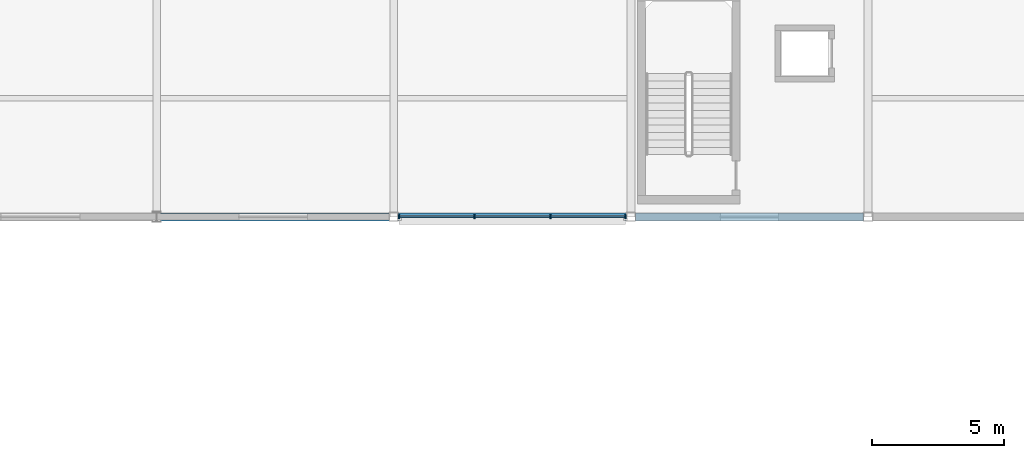
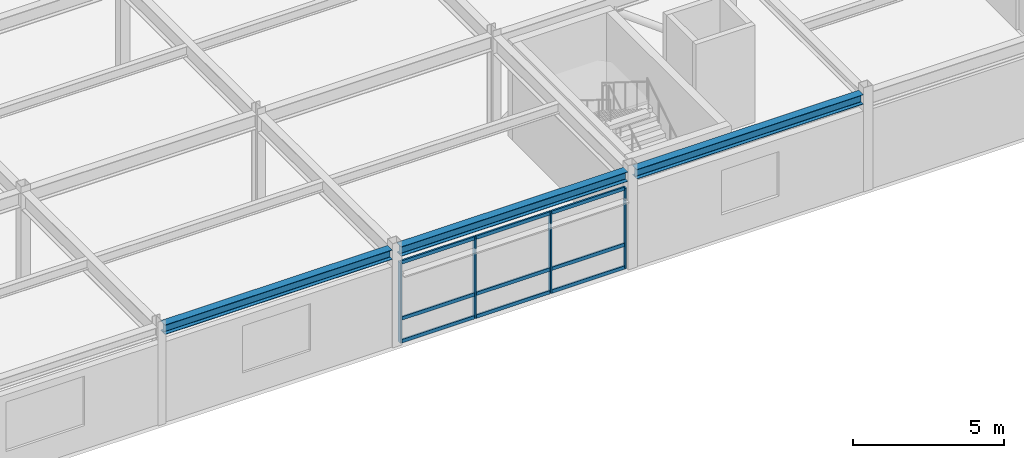
# One storey, part 17 of 53: 13 members, 3 beams, 1 element without a shape of its own.
"""IFC4 building model written with IfcOpenShell, lengths in metres."""

import ifcopenshell
import ifcopenshell.guid

model = None  # the IFC model being written
_history = None  # IfcOwnerHistory: only IFC2X3 demands one
_inside = {}  # id of a spatial element -> (the spatial element, [elements in it])
_under = {}  # id of a project, library or spatial element -> (it, [spatial elements below it])
_declared = {}  # id of a project -> (the project, [libraries it declares])
_typed = {}  # id of a type object -> (the type object, [elements of that type])
_made_of = {}  # id of a material, layer set ... -> (it, [elements and type objects made of it])


def new_model(schema):
    """Start an empty IFC model of exactly this schema.

    Asked for "IFC4X3", IfcOpenShell would pick the latest addendum, in which some entities
    have other attributes; the version numbers below select the first issue.
    IFC2X3 requires an IfcOwnerHistory on every rooted entity: one is made here for all.
    """
    global model, _history
    if schema == "IFC4X3":
        model = ifcopenshell.file(schema_version=(4, 3, 0, 0))
    else:
        model = ifcopenshell.file(schema=schema)
    _inside.clear()
    _under.clear()
    _declared.clear()
    _typed.clear()
    _made_of.clear()
    _history = None
    if model.schema == "IFC2X3":
        org = make("IfcOrganization", Name="unknown")
        user = make(
            "IfcPersonAndOrganization",
            ThePerson=make("IfcPerson", FamilyName="unknown"),
            TheOrganization=org,
        )
        app = make(
            "IfcApplication",
            ApplicationDeveloper=org,
            Version="unknown",
            ApplicationFullName="unknown",
            ApplicationIdentifier="unknown",
        )
        _history = make(
            "IfcOwnerHistory",
            OwningUser=user,
            OwningApplication=app,
            ChangeAction="ADDED",
            CreationDate=0,
        )
    return model


def make(cls, **values):
    """One entity of the class cls with the attributes given. An attribute that is None is left unset."""
    return model.create_entity(
        cls, **{name: value for name, value in values.items() if value is not None}
    )


def rooted(cls, **values):
    """An entity with a GlobalId (a new one), such as an element, a storey or a relation."""
    return make(cls, GlobalId=ifcopenshell.guid.new(), OwnerHistory=_history, **values)


def si_unit(unit_type, name, prefix=None):
    """IfcSIUnit, for example si_unit("LENGTHUNIT", "METRE", prefix="MILLI")."""
    return make("IfcSIUnit", UnitType=unit_type, Prefix=prefix, Name=name)


def assignment(units):
    """IfcUnitAssignment: the units of a project."""
    return None if units is None else make("IfcUnitAssignment", Units=units)


def point(xyz):
    """IfcCartesianPoint."""
    return None if xyz is None else make("IfcCartesianPoint", Coordinates=xyz)


def direction(xyz):
    """IfcDirection."""
    return None if xyz is None else make("IfcDirection", DirectionRatios=xyz)


def frame(location, z_axis=None, x_axis=None):
    """IfcAxis2Placement3D, a coordinate frame: its origin and axes. An axis left out is left unset."""
    return make(
        "IfcAxis2Placement3D",
        Location=point(location),
        Axis=direction(z_axis),
        RefDirection=direction(x_axis),
    )


def frame_2d(location, x_axis=None):
    """IfcAxis2Placement2D, a coordinate frame in the plane: its origin and x axis."""
    return make(
        "IfcAxis2Placement2D", Location=point(location), RefDirection=direction(x_axis)
    )


def origin():
    """The frame at (0, 0, 0) with its axes left unset."""
    return frame((0.0, 0.0, 0.0))


def origin_2d():
    """The frame at (0, 0) in the plane with its x axis left unset."""
    return frame_2d((0.0, 0.0))


def place(relative_to, where):
    """IfcLocalPlacement: puts the frame where relative to a parent placement (None: the world)."""
    return make(
        "IfcLocalPlacement", PlacementRelTo=relative_to, RelativePlacement=where
    )


def context(
    kind, dimensions, precision=None, world=None, true_north=None, identifier=None
):
    """IfcGeometricRepresentationContext, for example the 3D "Model" context."""
    return make(
        "IfcGeometricRepresentationContext",
        ContextIdentifier=identifier,
        ContextType=kind,
        CoordinateSpaceDimension=dimensions,
        Precision=precision,
        WorldCoordinateSystem=world,
        TrueNorth=true_north,
    )


def subcontext(parent, identifier, kind, view, scale=None):
    """IfcGeometricRepresentationSubContext, for example "Body" below "Model"."""
    return make(
        "IfcGeometricRepresentationSubContext",
        ContextIdentifier=identifier,
        ContextType=kind,
        ParentContext=parent,
        TargetScale=scale,
        TargetView=view,
    )


def project(units=None, contexts=None):
    """IfcProject with its units and contexts."""
    return rooted(
        "IfcProject",
        Name="project",
        RepresentationContexts=contexts,
        UnitsInContext=assignment(units),
    )


def spatial(cls, under=None, at=None, **own):
    """A site, building, storey or space (cls), placed at a placement, below another one or the project."""
    s = rooted(cls, ObjectPlacement=at, **own)
    if under is not None:
        _under.setdefault(under.id(), (under, []))[1].append(s)
    return s


def profile(cls, at=None, kind="AREA", **sizes):
    """A parametric profile (cls). Its sizes go by their IFC names, for example OverallWidth=200.0."""
    return make(cls, ProfileType=kind, Position=at, **sizes)


def rectangle(**sizes):
    """IfcRectangleProfileDef."""
    return profile("IfcRectangleProfileDef", **sizes)


def i_section(**sizes):
    """IfcIShapeProfileDef."""
    return profile("IfcIShapeProfileDef", **sizes)


def extrude(swept, where, along, depth):
    """IfcExtrudedAreaSolid: the profile swept, set in the frame where, extruded along a direction by depth."""
    return make(
        "IfcExtrudedAreaSolid",
        SweptArea=swept,
        Position=where,
        ExtrudedDirection=direction(along),
        Depth=depth,
    )


def shape(context_of_items, identifier, shape_type, items):
    """IfcShapeRepresentation: the items that make up one representation, for example the "Body"."""
    return make(
        "IfcShapeRepresentation",
        ContextOfItems=context_of_items,
        RepresentationIdentifier=identifier,
        RepresentationType=shape_type,
        Items=items,
    )


def material(Name=None, Category=None):
    """IfcMaterial."""
    return make("IfcMaterial", Name=Name, Category=Category)


def material_profile(
    of_material, cross_section, Name=None, Category=None, Priority=None
):
    """IfcMaterialProfile: a cross section and its material."""
    return make(
        "IfcMaterialProfile",
        Name=Name,
        Material=of_material,
        Profile=cross_section,
        Priority=Priority,
        Category=Category,
    )


def profile_set(profiles, Name=None, composite=None):
    """IfcMaterialProfileSet."""
    return make(
        "IfcMaterialProfileSet",
        Name=Name,
        MaterialProfiles=profiles,
        CompositeProfile=composite,
    )


def made_of(thing, what):
    """Note that an element or type object is made of a material, layer set ...; save() writes the relation."""
    if what is not None:
        _made_of.setdefault(what.id(), (what, []))[1].append(thing)
    return thing


def type_object(cls, material=None, **own):
    """A type object (cls), such as IfcWallType, which elements share."""
    return made_of(rooted(cls, **own), material)


def element(
    cls,
    number,
    at=None,
    inside=None,
    cuts=None,
    type_object=None,
    material=None,
    context=None,
    identifier="Body",
    shape_type=None,
    held_by="IfcProductDefinitionShape",
    body=None,
    shapes=None,
    **own,
):
    """One element of the class cls, such as IfcWall. Its Tag is "e" and its number.

    at: its placement. inside: the storey or other place that contains it. cuts: it is an
    opening in that element (IfcRelVoidsElement). A single representation is given by context,
    identifier, shape_type and body (its items); several are given by shapes. held_by: the class
    of the entity that holds the representations. save() writes the other relations.
    """
    e = rooted(cls, Tag="e%d" % number, ObjectPlacement=at, **own)
    if body is not None:
        shapes = [shape(context, identifier, shape_type, body)]
    if shapes is not None:
        e.Representation = make(held_by, Representations=shapes)
    if inside is not None:
        _inside.setdefault(inside.id(), (inside, []))[1].append(e)
    if cuts is not None:
        rooted(
            "IfcRelVoidsElement", RelatingBuildingElement=cuts, RelatedOpeningElement=e
        )
    if type_object is not None:
        _typed.setdefault(type_object.id(), (type_object, []))[1].append(e)
    return made_of(e, material)


def aggregate(whole, parts):
    """IfcRelAggregates: a whole, such as a stair, and the parts it consists of."""
    return rooted("IfcRelAggregates", RelatingObject=whole, RelatedObjects=parts)


def save(model, path):
    """Write the relations noted so far, then the file.

    IfcRelAggregates (storeys below a building ...), IfcRelContainedInSpatialStructure (elements
    in a storey), IfcRelDefinesByType, IfcRelAssociatesMaterial and IfcRelDeclares: one each for
    every whole, place, type object, material and project.
    """
    for whole, parts in _under.values():
        aggregate(whole, parts)
    for where, things in _inside.values():
        rooted(
            "IfcRelContainedInSpatialStructure",
            RelatedElements=things,
            RelatingStructure=where,
        )
    for kind, things in _typed.values():
        rooted("IfcRelDefinesByType", RelatedObjects=things, RelatingType=kind)
    for what, things in _made_of.values():
        rooted("IfcRelAssociatesMaterial", RelatedObjects=things, RelatingMaterial=what)
    for by, libraries in _declared.values():
        rooted("IfcRelDeclares", RelatingContext=by, RelatedDefinitions=libraries)
    model.write(path)


model = new_model("IFC4")

# Units and contexts
model_context = context("Model", 3, precision=1e-05, world=origin(), true_north=direction((0.0, 1.0)))
body_context = subcontext(model_context, "Body", "Model", "MODEL_VIEW")
ifc_project = project(units=[si_unit("LENGTHUNIT", "METRE"), si_unit("AREAUNIT", "SQUARE_METRE"), si_unit("VOLUMEUNIT", "CUBIC_METRE"), si_unit("PLANEANGLEUNIT", "RADIAN"), si_unit("MASSUNIT", "GRAM", prefix="KILO")], contexts=[model_context])

# Site, building, storey
site_placement = place(None, origin())
site = spatial("IfcSite", under=ifc_project, at=site_placement, CompositionType="ELEMENT")
building_placement = place(site_placement, origin())
building = spatial("IfcBuilding", under=site, at=building_placement, Name="Suzunagisa Mobility Hub", CompositionType="ELEMENT")
storey_placement = place(building_placement, frame((0.0, 0.0, 17.699951171875)))
storey = spatial("IfcBuildingStorey", under=building, at=storey_placement, Name="L04", CompositionType="ELEMENT", Elevation=17.699951171875)

# Curtain wall, members
ifc_material_1 = material(Name="Thermally Broken Anodized Aluminum and Low-E Glazing", Category="aluminium")
curtain_wall_type = type_object("IfcCurtainWallType", Name="Unitised Curtain Wall CW-13 8750x3200", PredefinedType="USERDEFINED", material=ifc_material_1)
curtain_wall_placement = place(storey_placement, origin())
curtain_wall = element("IfcCurtainWall", 1, at=curtain_wall_placement, inside=storey, type_object=curtain_wall_type, Name="L04 Unitised Curtain Wall CW-132", ObjectType="UNITISED CURTAIN WALL", PredefinedType="USERDEFINED")
ifc_material_2 = material(Name="Anodized Aluminum 6063-T6", Category="aluminium")
ifc_material_profile_1 = material_profile(ifc_material_2, rectangle(XDim=0.06494140625, YDim=0.139892578125, at=origin_2d()), Name="TRAN-65x140")
ifc_profile_set_1 = profile_set([ifc_material_profile_1], Name="Anodized Aluminum 6063-T6")
member_type_1 = type_object("IfcMemberType", Name="Curtain Wall Framing CM-01 TRAN-65x140", PredefinedType="USERDEFINED", material=ifc_profile_set_1)
member_1_placement = place(storey_placement, frame((81.23291015625, 80.0, 0.032470703125), z_axis=(1.0, 0.0, 0.0), x_axis=(0.0, 1.0, 0.0)))
member_1 = element("IfcMember", 2, at=member_1_placement, type_object=member_type_1, Name="Curtain Wall Transom 132-T1.1", ObjectType="TRANSOM", PredefinedType="USERDEFINED", context=body_context, shape_type="SweptSolid", body=[
    extrude(rectangle(XDim=0.06494140625, YDim=0.139892578125, at=origin_2d()), origin(), (0.0, 0.0, 1.0), 2.79736328125),
])
member_2_placement = place(storey_placement, frame((81.23291015625, 80.0, 0.949951171875), z_axis=(1.0, 0.0, 0.0), x_axis=(0.0, 1.0, 0.0)))
member_2 = element("IfcMember", 3, at=member_2_placement, type_object=member_type_1, Name="Curtain Wall Transom 132-T1.2", ObjectType="TRANSOM", PredefinedType="USERDEFINED", context=body_context, shape_type="SweptSolid", body=[
    extrude(rectangle(XDim=0.06494140625, YDim=0.139892578125, at=origin_2d()), origin(), (0.0, 0.0, 1.0), 2.79736328125),
])
member_3_placement = place(storey_placement, frame((81.23291015625, 80.0, 3.217529296875), z_axis=(1.0, 0.0, 0.0), x_axis=(0.0, 1.0, 0.0)))
member_3 = element("IfcMember", 4, at=member_3_placement, type_object=member_type_1, Name="Curtain Wall Transom 132-T1.3", ObjectType="TRANSOM", PredefinedType="USERDEFINED", context=body_context, shape_type="SweptSolid", body=[
    extrude(rectangle(XDim=0.06494140625, YDim=0.139892578125, at=origin_2d()), origin(), (0.0, 0.0, 1.0), 2.79736328125),
])
member_4_placement = place(storey_placement, frame((84.086181640625, 80.0, 0.032470703125), z_axis=(1.0, 0.0, 0.0), x_axis=(0.0, 1.0, 0.0)))
member_4 = element("IfcMember", 5, at=member_4_placement, type_object=member_type_1, Name="Curtain Wall Transom 132-T2.1", ObjectType="TRANSOM", PredefinedType="USERDEFINED", context=body_context, shape_type="SweptSolid", body=[
    extrude(rectangle(XDim=0.06494140625, YDim=0.139892578125, at=origin_2d()), origin(), (0.0, 0.0, 1.0), 2.82763671875),
])
member_5_placement = place(storey_placement, frame((84.086181640625, 80.0, 0.949951171875), z_axis=(1.0, 0.0, 0.0), x_axis=(0.0, 1.0, 0.0)))
member_5 = element("IfcMember", 6, at=member_5_placement, type_object=member_type_1, Name="Curtain Wall Transom 132-T2.2", ObjectType="TRANSOM", PredefinedType="USERDEFINED", context=body_context, shape_type="SweptSolid", body=[
    extrude(rectangle(XDim=0.06494140625, YDim=0.139892578125, at=origin_2d()), origin(), (0.0, 0.0, 1.0), 2.82763671875),
])
member_6_placement = place(storey_placement, frame((84.086181640625, 80.0, 3.217529296875), z_axis=(1.0, 0.0, 0.0), x_axis=(0.0, 1.0, 0.0)))
member_6 = element("IfcMember", 7, at=member_6_placement, type_object=member_type_1, Name="Curtain Wall Transom 132-T2.3", ObjectType="TRANSOM", PredefinedType="USERDEFINED", context=body_context, shape_type="SweptSolid", body=[
    extrude(rectangle(XDim=0.06494140625, YDim=0.139892578125, at=origin_2d()), origin(), (0.0, 0.0, 1.0), 2.82763671875),
])
member_7_placement = place(storey_placement, frame((86.9697265625, 80.0, 0.032470703125), z_axis=(1.0, 0.0, 0.0), x_axis=(0.0, 1.0, 0.0)))
member_7 = element("IfcMember", 8, at=member_7_placement, type_object=member_type_1, Name="Curtain Wall Transom 132-T3.1", ObjectType="TRANSOM", PredefinedType="USERDEFINED", context=body_context, shape_type="SweptSolid", body=[
    extrude(rectangle(XDim=0.06494140625, YDim=0.139892578125, at=origin_2d()), origin(), (0.0, 0.0, 1.0), 2.79736328125),
])
member_8_placement = place(storey_placement, frame((86.9697265625, 80.0, 0.949951171875), z_axis=(1.0, 0.0, 0.0), x_axis=(0.0, 1.0, 0.0)))
member_8 = element("IfcMember", 9, at=member_8_placement, type_object=member_type_1, Name="Curtain Wall Transom 132-T3.2", ObjectType="TRANSOM", PredefinedType="USERDEFINED", context=body_context, shape_type="SweptSolid", body=[
    extrude(rectangle(XDim=0.06494140625, YDim=0.139892578125, at=origin_2d()), origin(), (0.0, 0.0, 1.0), 2.79736328125),
])
member_9_placement = place(storey_placement, frame((86.9697265625, 80.0, 3.217529296875), z_axis=(1.0, 0.0, 0.0), x_axis=(0.0, 1.0, 0.0)))
member_9 = element("IfcMember", 10, at=member_9_placement, type_object=member_type_1, Name="Curtain Wall Transom 132-T3.3", ObjectType="TRANSOM", PredefinedType="USERDEFINED", context=body_context, shape_type="SweptSolid", body=[
    extrude(rectangle(XDim=0.06494140625, YDim=0.139892578125, at=origin_2d()), origin(), (0.0, 0.0, 1.0), 2.79736328125),
])
ifc_material_profile_2 = material_profile(ifc_material_2, rectangle(XDim=0.06005859375, YDim=0.14990234375, at=origin_2d()), Name="MULL-60x150")
ifc_profile_set_2 = profile_set([ifc_material_profile_2], Name="Anodized Aluminum 6063-T6")
member_type_2 = type_object("IfcMemberType", Name="Curtain Wall Framing CM-03 MULL-60x150", PredefinedType="MULLION", material=ifc_profile_set_2)
member_10_placement = place(storey_placement, frame((81.205078125, 80.0, 0.0), z_axis=(0.0, 0.0, 1.0), x_axis=(1.0, 0.0, 0.0)))
member_10 = element("IfcMember", 11, at=member_10_placement, type_object=member_type_2, Name="Curtain Wall Mullion 132-M1", PredefinedType="MULLION", context=body_context, shape_type="SweptSolid", body=[
    extrude(rectangle(XDim=0.06005859375, YDim=0.14990234375, at=origin_2d()), origin(), (0.0, 0.0, 1.0), 3.25),
])
member_11_placement = place(storey_placement, frame((84.058349609375, 80.0, 0.0), z_axis=(0.0, 0.0, 1.0), x_axis=(1.0, 0.0, 0.0)))
member_11 = element("IfcMember", 12, at=member_11_placement, type_object=member_type_2, Name="Curtain Wall Mullion 132-M2", PredefinedType="MULLION", context=body_context, shape_type="SweptSolid", body=[
    extrude(rectangle(XDim=0.06005859375, YDim=0.14990234375, at=origin_2d()), origin(), (0.0, 0.0, 1.0), 3.25),
])
member_12_placement = place(storey_placement, frame((86.941650390625, 80.0, 0.0), z_axis=(0.0, 0.0, 1.0), x_axis=(1.0, 0.0, 0.0)))
member_12 = element("IfcMember", 13, at=member_12_placement, type_object=member_type_2, Name="Curtain Wall Mullion 132-M3", PredefinedType="MULLION", context=body_context, shape_type="SweptSolid", body=[
    extrude(rectangle(XDim=0.06005859375, YDim=0.14990234375, at=origin_2d()), origin(), (0.0, 0.0, 1.0), 3.25),
])
member_13_placement = place(storey_placement, frame((89.794921875, 80.0, 0.0), z_axis=(0.0, 0.0, 1.0), x_axis=(1.0, 0.0, 0.0)))
member_13 = element("IfcMember", 14, at=member_13_placement, type_object=member_type_2, Name="Curtain Wall Mullion 132-M4", PredefinedType="MULLION", context=body_context, shape_type="SweptSolid", body=[
    extrude(rectangle(XDim=0.06005859375, YDim=0.14990234375, at=origin_2d()), origin(), (0.0, 0.0, 1.0), 3.25),
])
aggregate(curtain_wall, [member_10, member_11, member_12, member_13, member_1, member_2, member_3, member_4, member_5, member_6, member_7, member_8, member_9])

# Beams
ifc_material_3 = material(Name="Steel SN490B", Category="steel")
ifc_material_profile_3 = material_profile(ifc_material_3, i_section(OverallWidth=0.300048828125, OverallDepth=0.389892578125, WebThickness=0.010009765625, FlangeThickness=0.01611328125, FilletRadius=0.012939453125, at=origin_2d()), Name="H-390x300x10x16")
ifc_profile_set_3 = profile_set([ifc_material_profile_3], Name="Steel SN490B")
beam_type = type_object("IfcBeamType", Name="Steel Beam BM-13 H-390x300x10x16", PredefinedType="SPANDREL", material=ifc_profile_set_3)
beam_placement = place(storey_placement, frame((72.14599609375, 80.0, 3.755126953125), z_axis=(1.0, 0.0, 0.0), x_axis=(0.0, 1.0, 0.0)))
element("IfcBeam", 15, at=beam_placement, inside=storey, type_object=beam_type, Name="L04 Primary Girder GX-1146", PredefinedType="SPANDREL", context=body_context, shape_type="SweptSolid", body=[
    extrude(i_section(OverallWidth=0.300048828125, OverallDepth=0.389892578125, WebThickness=0.010009765625, FlangeThickness=0.01611328125, FilletRadius=0.012939453125, at=origin_2d()), origin(), (0.0, 0.0, 1.0), 8.68310546875),
])
for number, where, z_axis, x_axis, name in (
    (16, (81.1708984375, 80.0, 3.755126953125), (1.0, 0.0, 0.0), (0.0, 1.0, 0.0), "L04 Primary Girder GX-1147"),
    (17, (90.1708984375, 80.0, 3.72509765625), (1.0, 0.0, 0.0), (0.0, 1.0, 0.0), "L04 Primary Girder GX-1148"),
):
    element("IfcBeam", number, at=place(storey_placement, frame(where, z_axis=z_axis, x_axis=x_axis)), inside=storey, type_object=beam_type, Name=name, PredefinedType="SPANDREL", context=body_context, shape_type="SweptSolid", body=[
        extrude(i_section(OverallWidth=0.300048828125, OverallDepth=0.389892578125, WebThickness=0.010009765625, FlangeThickness=0.01611328125, FilletRadius=0.012939453125, at=origin_2d()), origin(), (0.0, 0.0, 1.0), 8.658203125),
    ])

save(model, "model.ifc")
